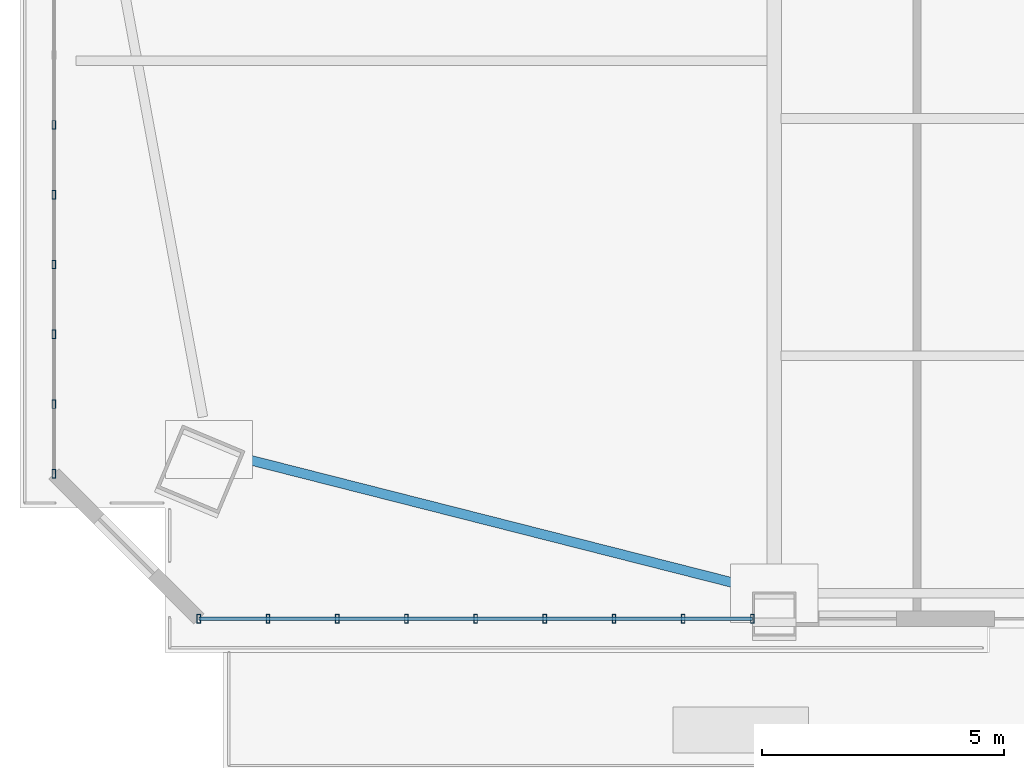
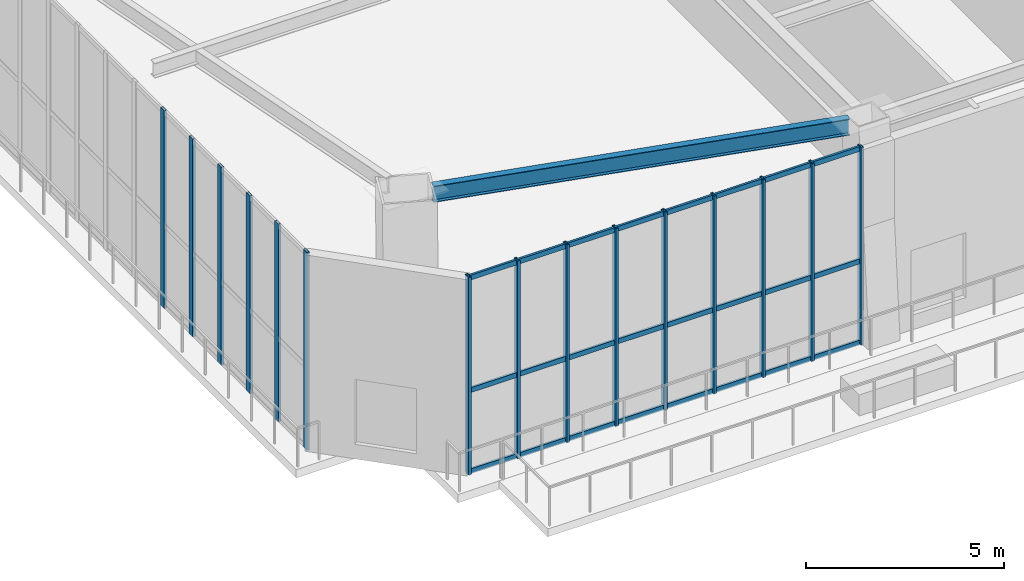
# One storey, part 2 of 22: 18 members, 1 beam, 2 elements without a shape of their own.
"""IFC4 building model written with IfcOpenShell, lengths in metres."""

from ifc_helpers import new_model, si_unit, direction, frame, origin, origin_2d, place, context, subcontext, project, spatial, hollow_rectangle, i_section, extrude, source, transform, mapped, material, layer, layer_set, material_profile, profile_set, type_object, element, aggregate, save


model = new_model("IFC4")

# Units and contexts
model_context = context("Model", 3, precision=1e-05, world=origin(), true_north=direction((0.0, 1.0)))
body_context = subcontext(model_context, "Body", "Model", "MODEL_VIEW")
ifc_project = project(units=[si_unit("LENGTHUNIT", "METRE"), si_unit("AREAUNIT", "SQUARE_METRE"), si_unit("VOLUMEUNIT", "CUBIC_METRE"), si_unit("PLANEANGLEUNIT", "RADIAN"), si_unit("MASSUNIT", "GRAM", prefix="KILO")], contexts=[model_context])

# Site, building, storey
site_placement = place(None, origin())
site = spatial("IfcSite", under=ifc_project, at=site_placement, CompositionType="ELEMENT")
building_placement = place(site_placement, origin())
building = spatial("IfcBuilding", under=site, at=building_placement, Name="Giltprow Tower", CompositionType="ELEMENT")
storey_placement = place(building_placement, frame((0.0, 0.0, 130.89990234375)))
storey = spatial("IfcBuildingStorey", under=building, at=storey_placement, Name="L32", CompositionType="ELEMENT", Elevation=130.89990234375)

# Beam
ifc_material_1 = material(Name="Structural steel Q355B", Category="steel")
ifc_material_profile_1 = material_profile(ifc_material_1, i_section(OverallWidth=0.199951171875, OverallDepth=0.5, WebThickness=0.010009765625, FlangeThickness=0.01611328125, at=origin_2d()), Name="HN 500x200x10x16")
ifc_profile_set_1 = profile_set([ifc_material_profile_1], Name="Structural steel Q355B")
beam_type = type_object("IfcBeamType", Name="BM-SPAN-HN500", PredefinedType="SPANDREL", material=ifc_profile_set_1)
shared_shape_1 = source(origin(), body_context, "Body", "SweptSolid", [
    extrude(i_section(OverallWidth=0.199951171875, OverallDepth=0.5, WebThickness=0.010009765625, FlangeThickness=0.01611328125, at=origin_2d()), origin(), (0.0, 0.0, 1.0), 10.921142578125),
])
beam_placement = place(storey_placement, frame((8.843017578125, 10.841064453125, 6.320068359375), z_axis=(0.969215020998, -0.24621584651, 0.0), x_axis=(0.24621584651, 0.969215020998, 0.0)))
element("IfcBeam", 1, at=beam_placement, inside=storey, type_object=beam_type, Name="L32 Perimeter Spandrel Beam MC_SW-S1", PredefinedType="SPANDREL", context=body_context, shape_type="MappedRepresentation", body=[
    mapped(shared_shape_1, transform((0.0, 0.0, 0.0), x_axis=(1.0, 0.0, 0.0), y_axis=(0.0, 1.0, 0.0), z_axis=(0.0, 0.0, 1.0), scale=1.0)),
])

# Curtain wall, members
ifc_material_2 = material(Name="Anodized bronze", Category="metal")
ifc_layer = layer(ifc_material_2, 0.179931640625, Name="Anodized bronze")
ifc_layer_set = layer_set([ifc_layer], Name="Anodized bronze")
curtain_wall_type = type_object("IfcCurtainWallType", Name="CW-SKYGARDEN", PredefinedType="NOTDEFINED", material=ifc_layer_set)
curtain_wall_1_placement = place(storey_placement, origin())
curtain_wall_1 = element("IfcCurtainWall", 2, at=curtain_wall_1_placement, inside=storey, type_object=curtain_wall_type, Name="L32 South Recessed Curtain Wall 1", PredefinedType="NOTDEFINED")
ifc_material_profile_2 = material_profile(ifc_material_2, hollow_rectangle(XDim=0.06494140625, YDim=0.14990234375, WallThickness=0.006103515625, at=origin_2d()), Name="RHS 150x65x6")
ifc_profile_set_2 = profile_set([ifc_material_profile_2], Name="Anodized bronze")
member_type_1 = type_object("IfcMemberType", Name="CW-TRANSOM-150x65", PredefinedType="USERDEFINED", material=ifc_profile_set_2)
shared_shape_2 = source(origin(), body_context, "Body", "SweptSolid", [
    extrude(hollow_rectangle(XDim=0.06494140625, YDim=0.14990234375, WallThickness=0.006103515625, at=origin_2d()), origin(), (0.0, 0.0, 1.0), 11.429931640625),
])
member_1_placement = place(storey_placement, frame((7.969970703125, 7.51806640625, 0.0400390625), z_axis=(1.0, 0.0, 0.0), x_axis=(0.0, 1.0, 0.0)))
member_1 = element("IfcMember", 3, at=member_1_placement, type_object=member_type_1, Name="L32 South Recessed Curtain Wall 1 Transom 1", ObjectType="TRANSOM", PredefinedType="USERDEFINED", context=body_context, shape_type="MappedRepresentation", body=[
    mapped(shared_shape_2, transform((0.0, 0.0, 0.0), x_axis=(1.0, 0.0, 0.0), y_axis=(0.0, 1.0, 0.0), z_axis=(0.0, 0.0, 1.0), scale=1.0)),
])
member_2_placement = place(storey_placement, frame((7.969970703125, 7.51806640625, 2.541015625), z_axis=(1.0, 0.0, 0.0), x_axis=(0.0, 1.0, 0.0)))
member_2 = element("IfcMember", 4, at=member_2_placement, type_object=member_type_1, Name="L32 South Recessed Curtain Wall 1 Transom 2", ObjectType="TRANSOM", PredefinedType="USERDEFINED", context=body_context, shape_type="MappedRepresentation", body=[
    mapped(shared_shape_2, transform((0.0, 0.0, 0.0), x_axis=(1.0, 0.0, 0.0), y_axis=(0.0, 1.0, 0.0), z_axis=(0.0, 0.0, 1.0), scale=1.0)),
])
member_3_placement = place(storey_placement, frame((7.969970703125, 7.51806640625, 6.010009765625), z_axis=(1.0, 0.0, 0.0), x_axis=(0.0, 1.0, 0.0)))
member_3 = element("IfcMember", 5, at=member_3_placement, type_object=member_type_1, Name="L32 South Recessed Curtain Wall 1 Transom 3", ObjectType="TRANSOM", PredefinedType="USERDEFINED", context=body_context, shape_type="MappedRepresentation", body=[
    mapped(shared_shape_2, transform((0.0, 0.0, 0.0), x_axis=(1.0, 0.0, 0.0), y_axis=(0.0, 1.0, 0.0), z_axis=(0.0, 0.0, 1.0), scale=1.0)),
])
ifc_material_profile_3 = material_profile(ifc_material_2, hollow_rectangle(XDim=0.074951171875, YDim=0.179931640625, WallThickness=0.008056640625, at=origin_2d()), Name="RHS 180x75x8")
ifc_profile_set_3 = profile_set([ifc_material_profile_3], Name="Anodized bronze")
member_type_2 = type_object("IfcMemberType", Name="CW-MULLION-180x75", PredefinedType="MULLION", material=ifc_profile_set_3)
shared_shape_3 = source(origin(), body_context, "Body", "SweptSolid", [
    extrude(hollow_rectangle(XDim=0.074951171875, YDim=0.179931640625, WallThickness=0.008056640625, at=origin_2d()), origin(), (0.0, 0.0, 1.0), 6.105224609375),
])
member_4_placement = place(storey_placement, frame((7.969970703125, 7.51806640625, -0.02001953125), z_axis=(0.0, 0.0, 1.0), x_axis=(1.0, 0.0, 0.0)))
member_4 = element("IfcMember", 6, at=member_4_placement, type_object=member_type_2, Name="L32 South Recessed Curtain Wall 1 Mullion 1", PredefinedType="MULLION", context=body_context, shape_type="MappedRepresentation", body=[
    mapped(shared_shape_3, transform((0.0, 0.0, 0.0), x_axis=(1.0, 0.0, 0.0), y_axis=(0.0, 1.0, 0.0), z_axis=(0.0, 0.0, 1.0), scale=1.0)),
])
member_5_placement = place(storey_placement, frame((9.39892578125, 7.51806640625, -0.02001953125), z_axis=(0.0, 0.0, 1.0), x_axis=(1.0, 0.0, 0.0)))
member_5 = element("IfcMember", 7, at=member_5_placement, type_object=member_type_2, Name="L32 South Recessed Curtain Wall 1 Mullion 2", PredefinedType="MULLION", context=body_context, shape_type="MappedRepresentation", body=[
    mapped(shared_shape_3, transform((0.0, 0.0, 0.0), x_axis=(1.0, 0.0, 0.0), y_axis=(0.0, 1.0, 0.0), z_axis=(0.0, 0.0, 1.0), scale=1.0)),
])
member_6_placement = place(storey_placement, frame((10.827880859375, 7.51806640625, -0.02001953125), z_axis=(0.0, 0.0, 1.0), x_axis=(1.0, 0.0, 0.0)))
member_6 = element("IfcMember", 8, at=member_6_placement, type_object=member_type_2, Name="L32 South Recessed Curtain Wall 1 Mullion 3", PredefinedType="MULLION", context=body_context, shape_type="MappedRepresentation", body=[
    mapped(shared_shape_3, transform((0.0, 0.0, 0.0), x_axis=(1.0, 0.0, 0.0), y_axis=(0.0, 1.0, 0.0), z_axis=(0.0, 0.0, 1.0), scale=1.0)),
])
member_7_placement = place(storey_placement, frame((12.256103515625, 7.51806640625, -0.02001953125), z_axis=(0.0, 0.0, 1.0), x_axis=(1.0, 0.0, 0.0)))
member_7 = element("IfcMember", 9, at=member_7_placement, type_object=member_type_2, Name="L32 South Recessed Curtain Wall 1 Mullion 4", PredefinedType="MULLION", context=body_context, shape_type="MappedRepresentation", body=[
    mapped(shared_shape_3, transform((0.0, 0.0, 0.0), x_axis=(1.0, 0.0, 0.0), y_axis=(0.0, 1.0, 0.0), z_axis=(0.0, 0.0, 1.0), scale=1.0)),
])
member_8_placement = place(storey_placement, frame((13.68505859375, 7.51806640625, -0.02001953125), z_axis=(0.0, 0.0, 1.0), x_axis=(1.0, 0.0, 0.0)))
member_8 = element("IfcMember", 10, at=member_8_placement, type_object=member_type_2, Name="L32 South Recessed Curtain Wall 1 Mullion 5", PredefinedType="MULLION", context=body_context, shape_type="MappedRepresentation", body=[
    mapped(shared_shape_3, transform((0.0, 0.0, 0.0), x_axis=(1.0, 0.0, 0.0), y_axis=(0.0, 1.0, 0.0), z_axis=(0.0, 0.0, 1.0), scale=1.0)),
])
member_9_placement = place(storey_placement, frame((15.114013671875, 7.51806640625, -0.02001953125), z_axis=(0.0, 0.0, 1.0), x_axis=(1.0, 0.0, 0.0)))
member_9 = element("IfcMember", 11, at=member_9_placement, type_object=member_type_2, Name="L32 South Recessed Curtain Wall 1 Mullion 6", PredefinedType="MULLION", context=body_context, shape_type="MappedRepresentation", body=[
    mapped(shared_shape_3, transform((0.0, 0.0, 0.0), x_axis=(1.0, 0.0, 0.0), y_axis=(0.0, 1.0, 0.0), z_axis=(0.0, 0.0, 1.0), scale=1.0)),
])
member_10_placement = place(storey_placement, frame((16.54296875, 7.51806640625, -0.02001953125), z_axis=(0.0, 0.0, 1.0), x_axis=(1.0, 0.0, 0.0)))
member_10 = element("IfcMember", 12, at=member_10_placement, type_object=member_type_2, Name="L32 South Recessed Curtain Wall 1 Mullion 7", PredefinedType="MULLION", context=body_context, shape_type="MappedRepresentation", body=[
    mapped(shared_shape_3, transform((0.0, 0.0, 0.0), x_axis=(1.0, 0.0, 0.0), y_axis=(0.0, 1.0, 0.0), z_axis=(0.0, 0.0, 1.0), scale=1.0)),
])
member_11_placement = place(storey_placement, frame((17.970947265625, 7.51806640625, -0.02001953125), z_axis=(0.0, 0.0, 1.0), x_axis=(1.0, 0.0, 0.0)))
member_11 = element("IfcMember", 13, at=member_11_placement, type_object=member_type_2, Name="L32 South Recessed Curtain Wall 1 Mullion 8", PredefinedType="MULLION", context=body_context, shape_type="MappedRepresentation", body=[
    mapped(shared_shape_3, transform((0.0, 0.0, 0.0), x_axis=(1.0, 0.0, 0.0), y_axis=(0.0, 1.0, 0.0), z_axis=(0.0, 0.0, 1.0), scale=1.0)),
])
member_12_placement = place(storey_placement, frame((19.39990234375, 7.51806640625, -0.02001953125), z_axis=(0.0, 0.0, 1.0), x_axis=(1.0, 0.0, 0.0)))
member_12 = element("IfcMember", 14, at=member_12_placement, type_object=member_type_2, Name="L32 South Recessed Curtain Wall 1 Mullion 9", PredefinedType="MULLION", context=body_context, shape_type="MappedRepresentation", body=[
    mapped(shared_shape_3, transform((0.0, 0.0, 0.0), x_axis=(1.0, 0.0, 0.0), y_axis=(0.0, 1.0, 0.0), z_axis=(0.0, 0.0, 1.0), scale=1.0)),
])
aggregate(curtain_wall_1, [member_4, member_5, member_6, member_7, member_8, member_9, member_10, member_11, member_12, member_1, member_2, member_3])

curtain_wall_2_placement = place(storey_placement, origin())
curtain_wall_2 = element("IfcCurtainWall", 15, at=curtain_wall_2_placement, inside=storey, type_object=curtain_wall_type, Name="L32 W Sky Garden Glazing", PredefinedType="NOTDEFINED")
member_13_placement = place(storey_placement, frame((4.97900390625, 10.509033203125, -0.02001953125), z_axis=(0.0, 0.0, 1.0), x_axis=(1.0, 0.0, 0.0)))
member_13 = element("IfcMember", 16, at=member_13_placement, type_object=member_type_2, Name="L32 W Sky Garden Glazing Mullion 1", PredefinedType="MULLION", context=body_context, shape_type="MappedRepresentation", body=[
    mapped(shared_shape_3, transform((0.0, 0.0, 0.0), x_axis=(1.0, 0.0, 0.0), y_axis=(0.0, 1.0, 0.0), z_axis=(0.0, 0.0, 1.0), scale=1.0)),
])
member_14_placement = place(storey_placement, frame((4.97900390625, 11.949951171875, -0.02001953125), z_axis=(0.0, 0.0, 1.0), x_axis=(1.0, 0.0, 0.0)))
member_14 = element("IfcMember", 17, at=member_14_placement, type_object=member_type_2, Name="L32 W Sky Garden Glazing Mullion 2", PredefinedType="MULLION", context=body_context, shape_type="MappedRepresentation", body=[
    mapped(shared_shape_3, transform((0.0, 0.0, 0.0), x_axis=(1.0, 0.0, 0.0), y_axis=(0.0, 1.0, 0.0), z_axis=(0.0, 0.0, 1.0), scale=1.0)),
])
member_15_placement = place(storey_placement, frame((4.97900390625, 13.39111328125, -0.02001953125), z_axis=(0.0, 0.0, 1.0), x_axis=(1.0, 0.0, 0.0)))
member_15 = element("IfcMember", 18, at=member_15_placement, type_object=member_type_2, Name="L32 W Sky Garden Glazing Mullion 3", PredefinedType="MULLION", context=body_context, shape_type="MappedRepresentation", body=[
    mapped(shared_shape_3, transform((0.0, 0.0, 0.0), x_axis=(1.0, 0.0, 0.0), y_axis=(0.0, 1.0, 0.0), z_axis=(0.0, 0.0, 1.0), scale=1.0)),
])
member_16_placement = place(storey_placement, frame((4.97900390625, 14.83203125, -0.02001953125), z_axis=(0.0, 0.0, 1.0), x_axis=(1.0, 0.0, 0.0)))
member_16 = element("IfcMember", 19, at=member_16_placement, type_object=member_type_2, Name="L32 W Sky Garden Glazing Mullion 4", PredefinedType="MULLION", context=body_context, shape_type="MappedRepresentation", body=[
    mapped(shared_shape_3, transform((0.0, 0.0, 0.0), x_axis=(1.0, 0.0, 0.0), y_axis=(0.0, 1.0, 0.0), z_axis=(0.0, 0.0, 1.0), scale=1.0)),
])
member_17_placement = place(storey_placement, frame((4.97900390625, 16.27294921875, -0.02001953125), z_axis=(0.0, 0.0, 1.0), x_axis=(1.0, 0.0, 0.0)))
member_17 = element("IfcMember", 20, at=member_17_placement, type_object=member_type_2, Name="L32 W Sky Garden Glazing Mullion 5", PredefinedType="MULLION", context=body_context, shape_type="MappedRepresentation", body=[
    mapped(shared_shape_3, transform((0.0, 0.0, 0.0), x_axis=(1.0, 0.0, 0.0), y_axis=(0.0, 1.0, 0.0), z_axis=(0.0, 0.0, 1.0), scale=1.0)),
])
member_18_placement = place(storey_placement, frame((4.97900390625, 17.714111328125, -0.02001953125), z_axis=(0.0, 0.0, 1.0), x_axis=(1.0, 0.0, 0.0)))
member_18 = element("IfcMember", 21, at=member_18_placement, type_object=member_type_2, Name="L32 W Sky Garden Glazing Mullion 6", PredefinedType="MULLION", context=body_context, shape_type="MappedRepresentation", body=[
    mapped(shared_shape_3, transform((0.0, 0.0, 0.0), x_axis=(1.0, 0.0, 0.0), y_axis=(0.0, 1.0, 0.0), z_axis=(0.0, 0.0, 1.0), scale=1.0)),
])
aggregate(curtain_wall_2, [member_13, member_14, member_15, member_16, member_17, member_18])

save(model, "model.ifc")
